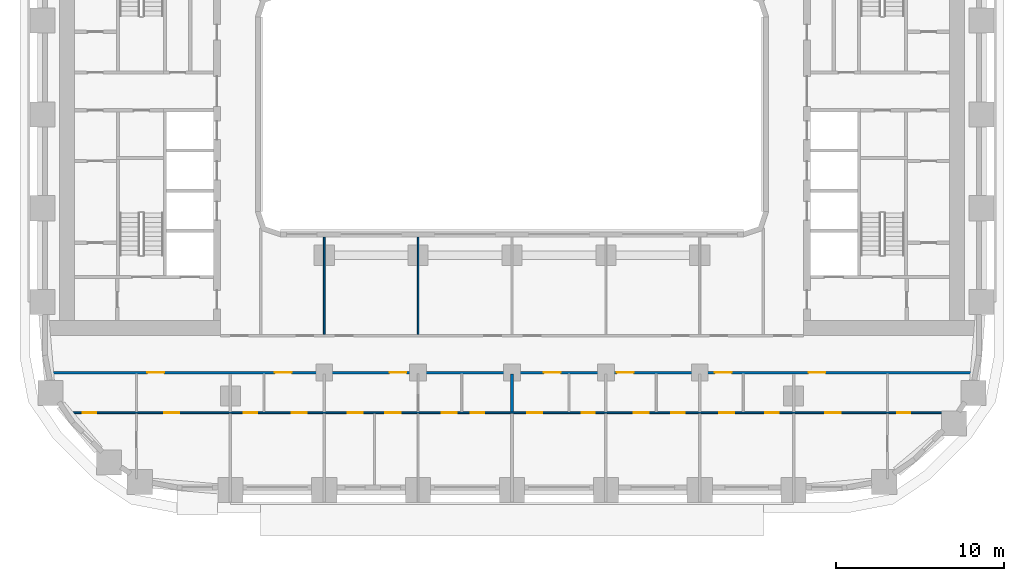
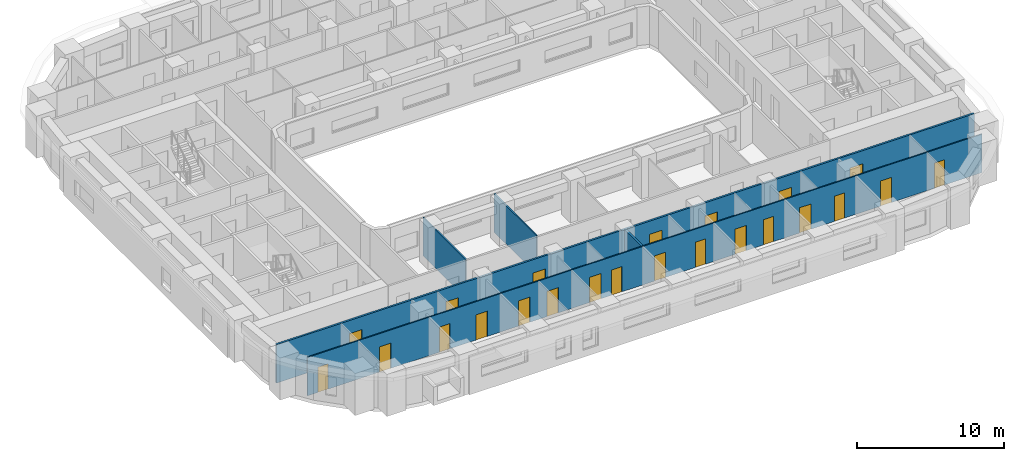
# One storey, part 3 of 21: 23 doors, 5 walls, 23 openings.
"""IFC4 building model written with IfcOpenShell, lengths in metres."""

from ifc_helpers import new_model, si_unit, direction, frame, frame_2d, origin, place, context, subcontext, project, spatial, rectangle, extrude, material, layer, layer_set, type_object, element, fill, save


model = new_model("IFC4")

# Units and contexts
model_context = context("Model", 3, precision=1e-05, world=origin(), true_north=direction((0.0, 1.0)))
body_context = subcontext(model_context, "Body", "Model", "MODEL_VIEW")
ifc_project = project(units=[si_unit("LENGTHUNIT", "METRE"), si_unit("AREAUNIT", "SQUARE_METRE"), si_unit("VOLUMEUNIT", "CUBIC_METRE"), si_unit("PLANEANGLEUNIT", "RADIAN"), si_unit("MASSUNIT", "GRAM", prefix="KILO")], contexts=[model_context])

# Site, building, storey
site_placement = place(None, origin())
site = spatial("IfcSite", under=ifc_project, at=site_placement, CompositionType="ELEMENT")
building_placement = place(site_placement, origin())
building = spatial("IfcBuilding", under=site, at=building_placement, Name="Kiln Ring Residences", CompositionType="ELEMENT")
storey_placement = place(building_placement, frame((0.0, 0.0, 41.0)))
storey = spatial("IfcBuildingStorey", under=building, at=storey_placement, Name="L09", CompositionType="ELEMENT", Elevation=41.0)

# Wall, openings, doors
ifc_material_1 = material(Name="Gypsum board on steel studs", Category="steel")
ifc_layer_1 = layer(ifc_material_1, 0.10009765625)
ifc_layer_set_1 = layer_set([ifc_layer_1], Name="PARTITION-100")
wall_type_1 = type_object("IfcWallType", Name="PARTITION-100", PredefinedType="PARTITIONING", material=ifc_layer_set_1)
wall_1_placement = place(storey_placement, frame((-26.39404296875, -17.800048828125, 0.0), z_axis=(0.0, 0.0, 1.0), x_axis=(1.0, 0.0, 0.0)))
wall_1 = element("IfcWall", 1, at=wall_1_placement, inside=storey, type_object=wall_type_1, Name="Partition 000", PredefinedType="PARTITIONING", context=body_context, shape_type="SweptSolid", body=[
    extrude(rectangle(XDim=53.126220703125, YDim=0.10009765625, at=frame_2d((26.56298828125, 0.0))), origin(), (0.0, 0.0, 1.0), 3.199951171875),
])
opening_1_placement = place(wall_1_placement, frame((0.7939453125, 0.0, 0.0)))
opening_1 = element("IfcOpeningElement", 2, at=opening_1_placement, cuts=wall_1, Name="Opening L09-D052", PredefinedType="OPENING", context=body_context, shape_type="SweptSolid", body=[
    extrude(rectangle(XDim=0.800048828125, YDim=2.10009765625, at=frame_2d((0.39990234375, 1.050048828125))), frame((0.0, 0.06005859375, 0.0), z_axis=(0.0, -1.0, 0.0), x_axis=(1.0, 0.0, 0.0)), (0.0, 0.0, 1.0), 0.1201171875),
])
opening_2_placement = place(wall_1_placement, frame((5.64404296875, 0.0, 0.0)))
opening_2 = element("IfcOpeningElement", 3, at=opening_2_placement, cuts=wall_1, Name="Opening L09-D053", PredefinedType="OPENING", context=body_context, shape_type="SweptSolid", body=[
    extrude(rectangle(XDim=0.89990234375, YDim=2.10009765625, at=frame_2d((0.449951171875, 1.050048828125))), frame((0.0, 0.06005859375, 0.0), z_axis=(0.0, -1.0, 0.0), x_axis=(1.0, 0.0, 0.0)), (0.0, 0.0, 1.0), 0.1201171875),
])
opening_3_placement = place(wall_1_placement, frame((10.39404296875, 0.0, 0.0)))
opening_3 = element("IfcOpeningElement", 4, at=opening_3_placement, cuts=wall_1, Name="Opening L09-D056", PredefinedType="OPENING", context=body_context, shape_type="SweptSolid", body=[
    extrude(rectangle(XDim=0.800048828125, YDim=2.10009765625, at=frame_2d((0.39990234375, 1.050048828125))), frame((0.0, 0.06005859375, 0.0), z_axis=(0.0, -1.0, 0.0), x_axis=(1.0, 0.0, 0.0)), (0.0, 0.0, 1.0), 0.1201171875),
])
opening_4_placement = place(wall_1_placement, frame((13.243896484375, 0.0, 0.0)))
opening_4 = element("IfcOpeningElement", 5, at=opening_4_placement, cuts=wall_1, Name="Opening L09-D057", PredefinedType="OPENING", context=body_context, shape_type="SweptSolid", body=[
    extrude(rectangle(XDim=0.89990234375, YDim=2.10009765625, at=frame_2d((0.449951171875, 1.050048828125))), frame((0.0, 0.06005859375, 0.0), z_axis=(0.0, -1.0, 0.0), x_axis=(1.0, 0.0, 0.0)), (0.0, 0.0, 1.0), 0.1201171875),
])
opening_5_placement = place(wall_1_placement, frame((23.944091796875, 0.0, 0.0)))
opening_5 = element("IfcOpeningElement", 6, at=opening_5_placement, cuts=wall_1, Name="Opening L09-D060", PredefinedType="OPENING", context=body_context, shape_type="SweptSolid", body=[
    extrude(rectangle(XDim=0.800048828125, YDim=2.10009765625, at=frame_2d((0.39990234375, 1.050048828125))), frame((0.0, 0.06005859375, 0.0), z_axis=(0.0, -1.0, 0.0), x_axis=(1.0, 0.0, 0.0)), (0.0, 0.0, 1.0), 0.1201171875),
])
opening_6_placement = place(wall_1_placement, frame((22.194091796875, 0.0, 0.0)))
opening_6 = element("IfcOpeningElement", 7, at=opening_6_placement, cuts=wall_1, Name="Opening L09-D061", PredefinedType="OPENING", context=body_context, shape_type="SweptSolid", body=[
    extrude(rectangle(XDim=0.89990234375, YDim=2.10009765625, at=frame_2d((0.449951171875, 1.050048828125))), frame((0.0, 0.06005859375, 0.0), z_axis=(0.0, -1.0, 0.0), x_axis=(1.0, 0.0, 0.0)), (0.0, 0.0, 1.0), 0.1201171875),
])
opening_7_placement = place(wall_1_placement, frame((16.593994140625, 0.0, 0.0)))
opening_7 = element("IfcOpeningElement", 8, at=opening_7_placement, cuts=wall_1, Name="Opening L09-D062", PredefinedType="OPENING", context=body_context, shape_type="SweptSolid", body=[
    extrude(rectangle(XDim=0.89990234375, YDim=2.10009765625, at=frame_2d((0.449951171875, 1.050048828125))), frame((0.0, 0.06005859375, 0.0), z_axis=(0.0, -1.0, 0.0), x_axis=(1.0, 0.0, 0.0)), (0.0, 0.0, 1.0), 0.1201171875),
])
opening_8_placement = place(wall_1_placement, frame((18.843994140625, 0.0, 0.0)))
opening_8 = element("IfcOpeningElement", 9, at=opening_8_placement, cuts=wall_1, Name="Opening L09-D063", PredefinedType="OPENING", context=body_context, shape_type="SweptSolid", body=[
    extrude(rectangle(XDim=0.89990234375, YDim=2.10009765625, at=frame_2d((0.449951171875, 1.050048828125))), frame((0.0, 0.06005859375, 0.0), z_axis=(0.0, -1.0, 0.0), x_axis=(1.0, 0.0, 0.0)), (0.0, 0.0, 1.0), 0.1201171875),
])
opening_9_placement = place(wall_1_placement, frame((30.5439453125, 0.0, 0.0)))
opening_9 = element("IfcOpeningElement", 10, at=opening_9_placement, cuts=wall_1, Name="Opening L09-D065", PredefinedType="OPENING", context=body_context, shape_type="SweptSolid", body=[
    extrude(rectangle(XDim=0.800048828125, YDim=2.10009765625, at=frame_2d((0.39990234375, 1.050048828125))), frame((0.0, 0.06005859375, 0.0), z_axis=(0.0, -1.0, 0.0), x_axis=(1.0, 0.0, 0.0)), (0.0, 0.0, 1.0), 0.1201171875),
])
opening_10_placement = place(wall_1_placement, frame((27.2939453125, 0.0, 0.0)))
opening_10 = element("IfcOpeningElement", 11, at=opening_10_placement, cuts=wall_1, Name="Opening L09-D066", PredefinedType="OPENING", context=body_context, shape_type="SweptSolid", body=[
    extrude(rectangle(XDim=0.89990234375, YDim=2.10009765625, at=frame_2d((0.449951171875, 1.050048828125))), frame((0.0, 0.06005859375, 0.0), z_axis=(0.0, -1.0, 0.0), x_axis=(1.0, 0.0, 0.0)), (0.0, 0.0, 1.0), 0.1201171875),
])
opening_11_placement = place(wall_1_placement, frame((35.89404296875, 0.0, 0.0)))
opening_11 = element("IfcOpeningElement", 12, at=opening_11_placement, cuts=wall_1, Name="Opening L09-D068", PredefinedType="OPENING", context=body_context, shape_type="SweptSolid", body=[
    extrude(rectangle(XDim=0.800048828125, YDim=2.10009765625, at=frame_2d((0.39990234375, 1.050048828125))), frame((0.0, 0.06005859375, 0.0), z_axis=(0.0, -1.0, 0.0), x_axis=(1.0, 0.0, 0.0)), (0.0, 0.0, 1.0), 0.1201171875),
])
opening_12_placement = place(wall_1_placement, frame((33.64404296875, 0.0, 0.0)))
opening_12 = element("IfcOpeningElement", 13, at=opening_12_placement, cuts=wall_1, Name="Opening L09-D069", PredefinedType="OPENING", context=body_context, shape_type="SweptSolid", body=[
    extrude(rectangle(XDim=0.89990234375, YDim=2.10009765625, at=frame_2d((0.449951171875, 1.050048828125))), frame((0.0, 0.06005859375, 0.0), z_axis=(0.0, -1.0, 0.0), x_axis=(1.0, 0.0, 0.0)), (0.0, 0.0, 1.0), 0.1201171875),
])
opening_13_placement = place(wall_1_placement, frame((41.493896484375, 0.0, 0.0)))
opening_13 = element("IfcOpeningElement", 14, at=opening_13_placement, cuts=wall_1, Name="Opening L09-D071", PredefinedType="OPENING", context=body_context, shape_type="SweptSolid", body=[
    extrude(rectangle(XDim=0.800048828125, YDim=2.10009765625, at=frame_2d((0.39990234375, 1.050048828125))), frame((0.0, 0.06005859375, 0.0), z_axis=(0.0, -1.0, 0.0), x_axis=(1.0, 0.0, 0.0)), (0.0, 0.0, 1.0), 0.1201171875),
])
opening_14_placement = place(wall_1_placement, frame((38.743896484375, 0.0, 0.0)))
opening_14 = element("IfcOpeningElement", 15, at=opening_14_placement, cuts=wall_1, Name="Opening L09-D072", PredefinedType="OPENING", context=body_context, shape_type="SweptSolid", body=[
    extrude(rectangle(XDim=0.89990234375, YDim=2.10009765625, at=frame_2d((0.449951171875, 1.050048828125))), frame((0.0, 0.06005859375, 0.0), z_axis=(0.0, -1.0, 0.0), x_axis=(1.0, 0.0, 0.0)), (0.0, 0.0, 1.0), 0.1201171875),
])
opening_15_placement = place(wall_1_placement, frame((49.362060546875, 0.0, 0.0)))
opening_15 = element("IfcOpeningElement", 16, at=opening_15_placement, cuts=wall_1, Name="Opening L09-D074", PredefinedType="OPENING", context=body_context, shape_type="SweptSolid", body=[
    extrude(rectangle(XDim=0.800048828125, YDim=2.10009765625, at=frame_2d((0.39990234375, 1.050048828125))), frame((0.0, 0.06005859375, 0.0), z_axis=(0.0, -1.0, 0.0), x_axis=(1.0, 0.0, 0.0)), (0.0, 0.0, 1.0), 0.1201171875),
])
opening_16_placement = place(wall_1_placement, frame((45.093994140625, 0.0, 0.0)))
opening_16 = element("IfcOpeningElement", 17, at=opening_16_placement, cuts=wall_1, Name="Opening L09-D075", PredefinedType="OPENING", context=body_context, shape_type="SweptSolid", body=[
    extrude(rectangle(XDim=0.89990234375, YDim=2.10009765625, at=frame_2d((0.449951171875, 1.050048828125))), frame((0.0, 0.06005859375, 0.0), z_axis=(0.0, -1.0, 0.0), x_axis=(1.0, 0.0, 0.0)), (0.0, 0.0, 1.0), 0.1201171875),
])
ifc_material_2 = material(Name="Timber door leaf", Category="wood")
door_type_1 = type_object("IfcDoorType", Name="FLAT-DOOR-800-PL", OperationType="SINGLE_SWING_LEFT", PredefinedType="DOOR", material=ifc_material_2)
door_1_placement = place(opening_1_placement, origin())
door_1 = element("IfcDoor", 18, at=door_1_placement, inside=storey, type_object=door_type_1, Name="Door L09-D052", OperationType="SINGLE_SWING_RIGHT", OverallHeight=2.10009765625, OverallWidth=0.800048828125, PredefinedType="DOOR", context=body_context, shape_type="SweptSolid", body=[
    extrude(rectangle(XDim=0.800048828125, YDim=2.10009765625, at=frame_2d((0.39990234375, 1.050048828125))), frame((0.0, 0.02490234375, 0.0), z_axis=(0.0, -1.0, 0.0), x_axis=(1.0, 0.0, 0.0)), (0.0, 0.0, 1.0), 0.050048828125),
])
fill(opening_1, door_1)
door_2_placement = place(opening_3_placement, origin())
door_2 = element("IfcDoor", 19, at=door_2_placement, inside=storey, type_object=door_type_1, Name="Door L09-D056", OperationType="SINGLE_SWING_LEFT", OverallHeight=2.10009765625, OverallWidth=0.800048828125, PredefinedType="DOOR", context=body_context, shape_type="SweptSolid", body=[
    extrude(rectangle(XDim=0.800048828125, YDim=2.10009765625, at=frame_2d((0.39990234375, 1.050048828125))), frame((0.0, 0.02490234375, 0.0), z_axis=(0.0, -1.0, 0.0), x_axis=(1.0, 0.0, 0.0)), (0.0, 0.0, 1.0), 0.050048828125),
])
fill(opening_3, door_2)
door_3_placement = place(opening_5_placement, origin())
door_3 = element("IfcDoor", 20, at=door_3_placement, inside=storey, type_object=door_type_1, Name="Door L09-D060", OperationType="SINGLE_SWING_RIGHT", OverallHeight=2.10009765625, OverallWidth=0.800048828125, PredefinedType="DOOR", context=body_context, shape_type="SweptSolid", body=[
    extrude(rectangle(XDim=0.800048828125, YDim=2.10009765625, at=frame_2d((0.39990234375, 1.050048828125))), frame((0.0, 0.02490234375, 0.0), z_axis=(0.0, -1.0, 0.0), x_axis=(1.0, 0.0, 0.0)), (0.0, 0.0, 1.0), 0.050048828125),
])
fill(opening_5, door_3)
door_4_placement = place(opening_9_placement, origin())
door_4 = element("IfcDoor", 21, at=door_4_placement, inside=storey, type_object=door_type_1, Name="Door L09-D065", OperationType="SINGLE_SWING_LEFT", OverallHeight=2.10009765625, OverallWidth=0.800048828125, PredefinedType="DOOR", context=body_context, shape_type="SweptSolid", body=[
    extrude(rectangle(XDim=0.800048828125, YDim=2.10009765625, at=frame_2d((0.39990234375, 1.050048828125))), frame((0.0, 0.02490234375, 0.0), z_axis=(0.0, -1.0, 0.0), x_axis=(1.0, 0.0, 0.0)), (0.0, 0.0, 1.0), 0.050048828125),
])
fill(opening_9, door_4)
door_5_placement = place(opening_11_placement, origin())
door_5 = element("IfcDoor", 22, at=door_5_placement, inside=storey, type_object=door_type_1, Name="Door L09-D068", OperationType="SINGLE_SWING_RIGHT", OverallHeight=2.10009765625, OverallWidth=0.800048828125, PredefinedType="DOOR", context=body_context, shape_type="SweptSolid", body=[
    extrude(rectangle(XDim=0.800048828125, YDim=2.10009765625, at=frame_2d((0.39990234375, 1.050048828125))), frame((0.0, 0.02490234375, 0.0), z_axis=(0.0, -1.0, 0.0), x_axis=(1.0, 0.0, 0.0)), (0.0, 0.0, 1.0), 0.050048828125),
])
fill(opening_11, door_5)
door_6_placement = place(opening_13_placement, origin())
door_6 = element("IfcDoor", 23, at=door_6_placement, inside=storey, type_object=door_type_1, Name="Door L09-D071", OperationType="SINGLE_SWING_LEFT", OverallHeight=2.10009765625, OverallWidth=0.800048828125, PredefinedType="DOOR", context=body_context, shape_type="SweptSolid", body=[
    extrude(rectangle(XDim=0.800048828125, YDim=2.10009765625, at=frame_2d((0.39990234375, 1.050048828125))), frame((0.0, 0.02490234375, 0.0), z_axis=(0.0, -1.0, 0.0), x_axis=(1.0, 0.0, 0.0)), (0.0, 0.0, 1.0), 0.050048828125),
])
fill(opening_13, door_6)
door_7_placement = place(opening_15_placement, origin())
door_7 = element("IfcDoor", 24, at=door_7_placement, inside=storey, type_object=door_type_1, Name="Door L09-D074", OperationType="SINGLE_SWING_RIGHT", OverallHeight=2.10009765625, OverallWidth=0.800048828125, PredefinedType="DOOR", context=body_context, shape_type="SweptSolid", body=[
    extrude(rectangle(XDim=0.800048828125, YDim=2.10009765625, at=frame_2d((0.39990234375, 1.050048828125))), frame((0.0, 0.02490234375, 0.0), z_axis=(0.0, -1.0, 0.0), x_axis=(1.0, 0.0, 0.0)), (0.0, 0.0, 1.0), 0.050048828125),
])
fill(opening_15, door_7)
ifc_material_3 = material(Name="Timber door leaf", Category="wood")
door_type_2 = type_object("IfcDoorType", Name="FLAT-DOOR-900-PL", OperationType="SINGLE_SWING_LEFT", PredefinedType="DOOR", material=ifc_material_3)
door_8_placement = place(opening_2_placement, origin())
door_8 = element("IfcDoor", 25, at=door_8_placement, inside=storey, type_object=door_type_2, Name="Door L09-D053", OperationType="SINGLE_SWING_LEFT", OverallHeight=2.10009765625, OverallWidth=0.89990234375, PredefinedType="DOOR", context=body_context, shape_type="SweptSolid", body=[
    extrude(rectangle(XDim=0.89990234375, YDim=2.10009765625, at=frame_2d((0.449951171875, 1.050048828125))), frame((0.0, 0.02490234375, 0.0), z_axis=(0.0, -1.0, 0.0), x_axis=(1.0, 0.0, 0.0)), (0.0, 0.0, 1.0), 0.050048828125),
])
fill(opening_2, door_8)
door_9_placement = place(opening_4_placement, origin())
door_9 = element("IfcDoor", 26, at=door_9_placement, inside=storey, type_object=door_type_2, Name="Door L09-D057", OperationType="SINGLE_SWING_RIGHT", OverallHeight=2.10009765625, OverallWidth=0.89990234375, PredefinedType="DOOR", context=body_context, shape_type="SweptSolid", body=[
    extrude(rectangle(XDim=0.89990234375, YDim=2.10009765625, at=frame_2d((0.449951171875, 1.050048828125))), frame((0.0, 0.02490234375, 0.0), z_axis=(0.0, -1.0, 0.0), x_axis=(1.0, 0.0, 0.0)), (0.0, 0.0, 1.0), 0.050048828125),
])
fill(opening_4, door_9)
door_10_placement = place(opening_6_placement, origin())
door_10 = element("IfcDoor", 27, at=door_10_placement, inside=storey, type_object=door_type_2, Name="Door L09-D061", OperationType="SINGLE_SWING_RIGHT", OverallHeight=2.10009765625, OverallWidth=0.89990234375, PredefinedType="DOOR", context=body_context, shape_type="SweptSolid", body=[
    extrude(rectangle(XDim=0.89990234375, YDim=2.10009765625, at=frame_2d((0.449951171875, 1.050048828125))), frame((0.0, 0.02490234375, 0.0), z_axis=(0.0, -1.0, 0.0), x_axis=(1.0, 0.0, 0.0)), (0.0, 0.0, 1.0), 0.050048828125),
])
fill(opening_6, door_10)
door_11_placement = place(opening_7_placement, origin())
door_11 = element("IfcDoor", 28, at=door_11_placement, inside=storey, type_object=door_type_2, Name="Door L09-D062", OperationType="SINGLE_SWING_RIGHT", OverallHeight=2.10009765625, OverallWidth=0.89990234375, PredefinedType="DOOR", context=body_context, shape_type="SweptSolid", body=[
    extrude(rectangle(XDim=0.89990234375, YDim=2.10009765625, at=frame_2d((0.449951171875, 1.050048828125))), frame((0.0, 0.02490234375, 0.0), z_axis=(0.0, -1.0, 0.0), x_axis=(1.0, 0.0, 0.0)), (0.0, 0.0, 1.0), 0.050048828125),
])
fill(opening_7, door_11)
door_12_placement = place(opening_8_placement, origin())
door_12 = element("IfcDoor", 29, at=door_12_placement, inside=storey, type_object=door_type_2, Name="Door L09-D063", OperationType="SINGLE_SWING_LEFT", OverallHeight=2.10009765625, OverallWidth=0.89990234375, PredefinedType="DOOR", context=body_context, shape_type="SweptSolid", body=[
    extrude(rectangle(XDim=0.89990234375, YDim=2.10009765625, at=frame_2d((0.449951171875, 1.050048828125))), frame((0.0, 0.02490234375, 0.0), z_axis=(0.0, -1.0, 0.0), x_axis=(1.0, 0.0, 0.0)), (0.0, 0.0, 1.0), 0.050048828125),
])
fill(opening_8, door_12)
door_13_placement = place(opening_10_placement, origin())
door_13 = element("IfcDoor", 30, at=door_13_placement, inside=storey, type_object=door_type_2, Name="Door L09-D066", OperationType="SINGLE_SWING_LEFT", OverallHeight=2.10009765625, OverallWidth=0.89990234375, PredefinedType="DOOR", context=body_context, shape_type="SweptSolid", body=[
    extrude(rectangle(XDim=0.89990234375, YDim=2.10009765625, at=frame_2d((0.449951171875, 1.050048828125))), frame((0.0, 0.02490234375, 0.0), z_axis=(0.0, -1.0, 0.0), x_axis=(1.0, 0.0, 0.0)), (0.0, 0.0, 1.0), 0.050048828125),
])
fill(opening_10, door_13)
door_14_placement = place(opening_12_placement, origin())
door_14 = element("IfcDoor", 31, at=door_14_placement, inside=storey, type_object=door_type_2, Name="Door L09-D069", OperationType="SINGLE_SWING_RIGHT", OverallHeight=2.10009765625, OverallWidth=0.89990234375, PredefinedType="DOOR", context=body_context, shape_type="SweptSolid", body=[
    extrude(rectangle(XDim=0.89990234375, YDim=2.10009765625, at=frame_2d((0.449951171875, 1.050048828125))), frame((0.0, 0.02490234375, 0.0), z_axis=(0.0, -1.0, 0.0), x_axis=(1.0, 0.0, 0.0)), (0.0, 0.0, 1.0), 0.050048828125),
])
fill(opening_12, door_14)
door_15_placement = place(opening_14_placement, origin())
door_15 = element("IfcDoor", 32, at=door_15_placement, inside=storey, type_object=door_type_2, Name="Door L09-D072", OperationType="SINGLE_SWING_RIGHT", OverallHeight=2.10009765625, OverallWidth=0.89990234375, PredefinedType="DOOR", context=body_context, shape_type="SweptSolid", body=[
    extrude(rectangle(XDim=0.89990234375, YDim=2.10009765625, at=frame_2d((0.449951171875, 1.050048828125))), frame((0.0, 0.02490234375, 0.0), z_axis=(0.0, -1.0, 0.0), x_axis=(1.0, 0.0, 0.0)), (0.0, 0.0, 1.0), 0.050048828125),
])
fill(opening_14, door_15)
door_16_placement = place(opening_16_placement, origin())
door_16 = element("IfcDoor", 33, at=door_16_placement, inside=storey, type_object=door_type_2, Name="Door L09-D075", OperationType="SINGLE_SWING_LEFT", OverallHeight=2.10009765625, OverallWidth=0.89990234375, PredefinedType="DOOR", context=body_context, shape_type="SweptSolid", body=[
    extrude(rectangle(XDim=0.89990234375, YDim=2.10009765625, at=frame_2d((0.449951171875, 1.050048828125))), frame((0.0, 0.02490234375, 0.0), z_axis=(0.0, -1.0, 0.0), x_axis=(1.0, 0.0, 0.0)), (0.0, 0.0, 1.0), 0.050048828125),
])
fill(opening_16, door_16)

# Walls
for number, where, z_axis, x_axis, name in (
    (34, (-11.199951171875, -13.125, 0.0), (0.0, 0.0, 1.0), (0.0, 1.0, 0.0), "Partition 019"),
    (35, (-5.60009765625, -13.125, 0.0), (0.0, 0.0, 1.0), (0.0, 1.0, 0.0), "Partition 030"),
):
    element("IfcWall", number, at=place(storey_placement, frame(where, z_axis=z_axis, x_axis=x_axis)), inside=storey, type_object=wall_type_1, Name=name, PredefinedType="PARTITIONING", context=body_context, shape_type="SweptSolid", body=[
        extrude(rectangle(XDim=5.804931640625, YDim=0.10009765625, at=frame_2d((2.90234375, 0.0))), origin(), (0.0, 0.0, 1.0), 3.199951171875),
    ])

# Wall, openings, doors
ifc_material_4 = material(Name="Brick masonry partition", Category="masonry")
ifc_layer_2 = layer(ifc_material_4, 0.14990234375)
ifc_layer_set_2 = layer_set([ifc_layer_2], Name="PARTITION-150-ei60")
wall_type_2 = type_object("IfcWallType", Name="PARTITION-150-ei60", PredefinedType="PARTITIONING", material=ifc_layer_set_2)
wall_2_placement = place(storey_placement, frame((-27.48388671875, -15.39990234375, 0.0), z_axis=(0.0, 0.0, 1.0), x_axis=(1.0, 0.0, 0.0)))
wall_2 = element("IfcWall", 36, at=wall_2_placement, inside=storey, type_object=wall_type_2, Name="Partition 001", PredefinedType="PARTITIONING", context=body_context, shape_type="SweptSolid", body=[
    extrude(rectangle(XDim=54.9677734375, YDim=0.14990234375, at=frame_2d((27.48388671875, 0.0))), origin(), (0.0, 0.0, 1.0), 3.199951171875),
])
opening_17_placement = place(wall_2_placement, frame((5.73388671875, 0.0, 0.0)))
opening_17 = element("IfcOpeningElement", 37, at=opening_17_placement, cuts=wall_2, Name="Opening L09-D051", PredefinedType="OPENING", context=body_context, shape_type="SweptSolid", body=[
    extrude(rectangle(XDim=1.0, YDim=2.10009765625, at=frame_2d((0.5, 1.050048828125))), frame((0.0, 0.0849609375, 0.0), z_axis=(0.0, -1.0, 0.0), x_axis=(1.0, 0.0, 0.0)), (0.0, 0.0, 1.0), 0.169921875),
])
opening_18_placement = place(wall_2_placement, frame((13.333740234375, 0.0, 0.0)))
opening_18 = element("IfcOpeningElement", 38, at=opening_18_placement, cuts=wall_2, Name="Opening L09-D055", PredefinedType="OPENING", context=body_context, shape_type="SweptSolid", body=[
    extrude(rectangle(XDim=1.0, YDim=2.10009765625, at=frame_2d((0.5, 1.050048828125))), frame((0.0, 0.0849609375, 0.0), z_axis=(0.0, -1.0, 0.0), x_axis=(1.0, 0.0, 0.0)), (0.0, 0.0, 1.0), 0.169921875),
])
opening_19_placement = place(wall_2_placement, frame((20.183837890625, 0.0, 0.0)))
opening_19 = element("IfcOpeningElement", 39, at=opening_19_placement, cuts=wall_2, Name="Opening L09-D058", PredefinedType="OPENING", context=body_context, shape_type="SweptSolid", body=[
    extrude(rectangle(XDim=1.0, YDim=2.10009765625, at=frame_2d((0.5, 1.050048828125))), frame((0.0, 0.0849609375, 0.0), z_axis=(0.0, -1.0, 0.0), x_axis=(1.0, 0.0, 0.0)), (0.0, 0.0, 1.0), 0.169921875),
])
opening_20_placement = place(wall_2_placement, frame((29.3837890625, 0.0, 0.0)))
opening_20 = element("IfcOpeningElement", 40, at=opening_20_placement, cuts=wall_2, Name="Opening L09-D064", PredefinedType="OPENING", context=body_context, shape_type="SweptSolid", body=[
    extrude(rectangle(XDim=1.0, YDim=2.10009765625, at=frame_2d((0.5, 1.050048828125))), frame((0.0, 0.0849609375, 0.0), z_axis=(0.0, -1.0, 0.0), x_axis=(1.0, 0.0, 0.0)), (0.0, 0.0, 1.0), 0.169921875),
])
opening_21_placement = place(wall_2_placement, frame((33.73388671875, 0.0, 0.0)))
opening_21 = element("IfcOpeningElement", 41, at=opening_21_placement, cuts=wall_2, Name="Opening L09-D067", PredefinedType="OPENING", context=body_context, shape_type="SweptSolid", body=[
    extrude(rectangle(XDim=1.0, YDim=2.10009765625, at=frame_2d((0.5, 1.050048828125))), frame((0.0, 0.0849609375, 0.0), z_axis=(0.0, -1.0, 0.0), x_axis=(1.0, 0.0, 0.0)), (0.0, 0.0, 1.0), 0.169921875),
])
opening_22_placement = place(wall_2_placement, frame((39.583740234375, 0.0, 0.0)))
opening_22 = element("IfcOpeningElement", 42, at=opening_22_placement, cuts=wall_2, Name="Opening L09-D070", PredefinedType="OPENING", context=body_context, shape_type="SweptSolid", body=[
    extrude(rectangle(XDim=1.0, YDim=2.10009765625, at=frame_2d((0.5, 1.050048828125))), frame((0.0, 0.0849609375, 0.0), z_axis=(0.0, -1.0, 0.0), x_axis=(1.0, 0.0, 0.0)), (0.0, 0.0, 1.0), 0.169921875),
])
opening_23_placement = place(wall_2_placement, frame((45.183837890625, 0.0, 0.0)))
opening_23 = element("IfcOpeningElement", 43, at=opening_23_placement, cuts=wall_2, Name="Opening L09-D073", PredefinedType="OPENING", context=body_context, shape_type="SweptSolid", body=[
    extrude(rectangle(XDim=1.0, YDim=2.10009765625, at=frame_2d((0.5, 1.050048828125))), frame((0.0, 0.0849609375, 0.0), z_axis=(0.0, -1.0, 0.0), x_axis=(1.0, 0.0, 0.0)), (0.0, 0.0, 1.0), 0.169921875),
])
ifc_material_5 = material(Name="Steel faced fire door leaf", Category="steel")
door_type_3 = type_object("IfcDoorType", Name="FLAT-DOOR-1000-FR", OperationType="SINGLE_SWING_LEFT", PredefinedType="DOOR", material=ifc_material_5)
door_17_placement = place(opening_17_placement, origin())
door_17 = element("IfcDoor", 44, at=door_17_placement, inside=storey, type_object=door_type_3, Name="Door L09-D051", OperationType="SINGLE_SWING_LEFT", OverallHeight=2.10009765625, OverallWidth=1.0, PredefinedType="DOOR", context=body_context, shape_type="SweptSolid", body=[
    extrude(rectangle(XDim=1.0, YDim=2.10009765625, at=frame_2d((0.5, 1.050048828125))), frame((0.0, 0.02490234375, 0.0), z_axis=(0.0, -1.0, 0.0), x_axis=(1.0, 0.0, 0.0)), (0.0, 0.0, 1.0), 0.050048828125),
])
fill(opening_17, door_17)
door_18_placement = place(opening_18_placement, origin())
door_18 = element("IfcDoor", 45, at=door_18_placement, inside=storey, type_object=door_type_3, Name="Door L09-D055", OperationType="SINGLE_SWING_LEFT", OverallHeight=2.10009765625, OverallWidth=1.0, PredefinedType="DOOR", context=body_context, shape_type="SweptSolid", body=[
    extrude(rectangle(XDim=1.0, YDim=2.10009765625, at=frame_2d((0.5, 1.050048828125))), frame((0.0, 0.02490234375, 0.0), z_axis=(0.0, -1.0, 0.0), x_axis=(1.0, 0.0, 0.0)), (0.0, 0.0, 1.0), 0.050048828125),
])
fill(opening_18, door_18)
door_19_placement = place(opening_19_placement, origin())
door_19 = element("IfcDoor", 46, at=door_19_placement, inside=storey, type_object=door_type_3, Name="Door L09-D058", OperationType="SINGLE_SWING_RIGHT", OverallHeight=2.10009765625, OverallWidth=1.0, PredefinedType="DOOR", context=body_context, shape_type="SweptSolid", body=[
    extrude(rectangle(XDim=1.0, YDim=2.10009765625, at=frame_2d((0.5, 1.050048828125))), frame((0.0, 0.02490234375, 0.0), z_axis=(0.0, -1.0, 0.0), x_axis=(1.0, 0.0, 0.0)), (0.0, 0.0, 1.0), 0.050048828125),
])
fill(opening_19, door_19)
door_20_placement = place(opening_20_placement, origin())
door_20 = element("IfcDoor", 47, at=door_20_placement, inside=storey, type_object=door_type_3, Name="Door L09-D064", OperationType="SINGLE_SWING_RIGHT", OverallHeight=2.10009765625, OverallWidth=1.0, PredefinedType="DOOR", context=body_context, shape_type="SweptSolid", body=[
    extrude(rectangle(XDim=1.0, YDim=2.10009765625, at=frame_2d((0.5, 1.050048828125))), frame((0.0, 0.02490234375, 0.0), z_axis=(0.0, -1.0, 0.0), x_axis=(1.0, 0.0, 0.0)), (0.0, 0.0, 1.0), 0.050048828125),
])
fill(opening_20, door_20)
door_21_placement = place(opening_21_placement, origin())
door_21 = element("IfcDoor", 48, at=door_21_placement, inside=storey, type_object=door_type_3, Name="Door L09-D067", OperationType="SINGLE_SWING_LEFT", OverallHeight=2.10009765625, OverallWidth=1.0, PredefinedType="DOOR", context=body_context, shape_type="SweptSolid", body=[
    extrude(rectangle(XDim=1.0, YDim=2.10009765625, at=frame_2d((0.5, 1.050048828125))), frame((0.0, 0.02490234375, 0.0), z_axis=(0.0, -1.0, 0.0), x_axis=(1.0, 0.0, 0.0)), (0.0, 0.0, 1.0), 0.050048828125),
])
fill(opening_21, door_21)
door_22_placement = place(opening_22_placement, origin())
door_22 = element("IfcDoor", 49, at=door_22_placement, inside=storey, type_object=door_type_3, Name="Door L09-D070", OperationType="SINGLE_SWING_RIGHT", OverallHeight=2.10009765625, OverallWidth=1.0, PredefinedType="DOOR", context=body_context, shape_type="SweptSolid", body=[
    extrude(rectangle(XDim=1.0, YDim=2.10009765625, at=frame_2d((0.5, 1.050048828125))), frame((0.0, 0.02490234375, 0.0), z_axis=(0.0, -1.0, 0.0), x_axis=(1.0, 0.0, 0.0)), (0.0, 0.0, 1.0), 0.050048828125),
])
fill(opening_22, door_22)
door_23_placement = place(opening_23_placement, origin())
door_23 = element("IfcDoor", 50, at=door_23_placement, inside=storey, type_object=door_type_3, Name="Door L09-D073", OperationType="SINGLE_SWING_LEFT", OverallHeight=2.10009765625, OverallWidth=1.0, PredefinedType="DOOR", context=body_context, shape_type="SweptSolid", body=[
    extrude(rectangle(XDim=1.0, YDim=2.10009765625, at=frame_2d((0.5, 1.050048828125))), frame((0.0, 0.02490234375, 0.0), z_axis=(0.0, -1.0, 0.0), x_axis=(1.0, 0.0, 0.0)), (0.0, 0.0, 1.0), 0.050048828125),
])
fill(opening_23, door_23)

# Wall
wall_3_placement = place(storey_placement, frame((0.0, -17.75, 0.0), z_axis=(0.0, 0.0, 1.0), x_axis=(0.0, 1.0, 0.0)))
element("IfcWall", 51, at=wall_3_placement, inside=storey, type_object=wall_type_2, Name="Partition 040", PredefinedType="PARTITIONING", context=body_context, shape_type="SweptSolid", body=[
    extrude(rectangle(XDim=2.27490234375, YDim=0.14990234375, at=frame_2d((1.137451171875, 0.0))), origin(), (0.0, 0.0, 1.0), 3.199951171875),
])

save(model, "model.ifc")
